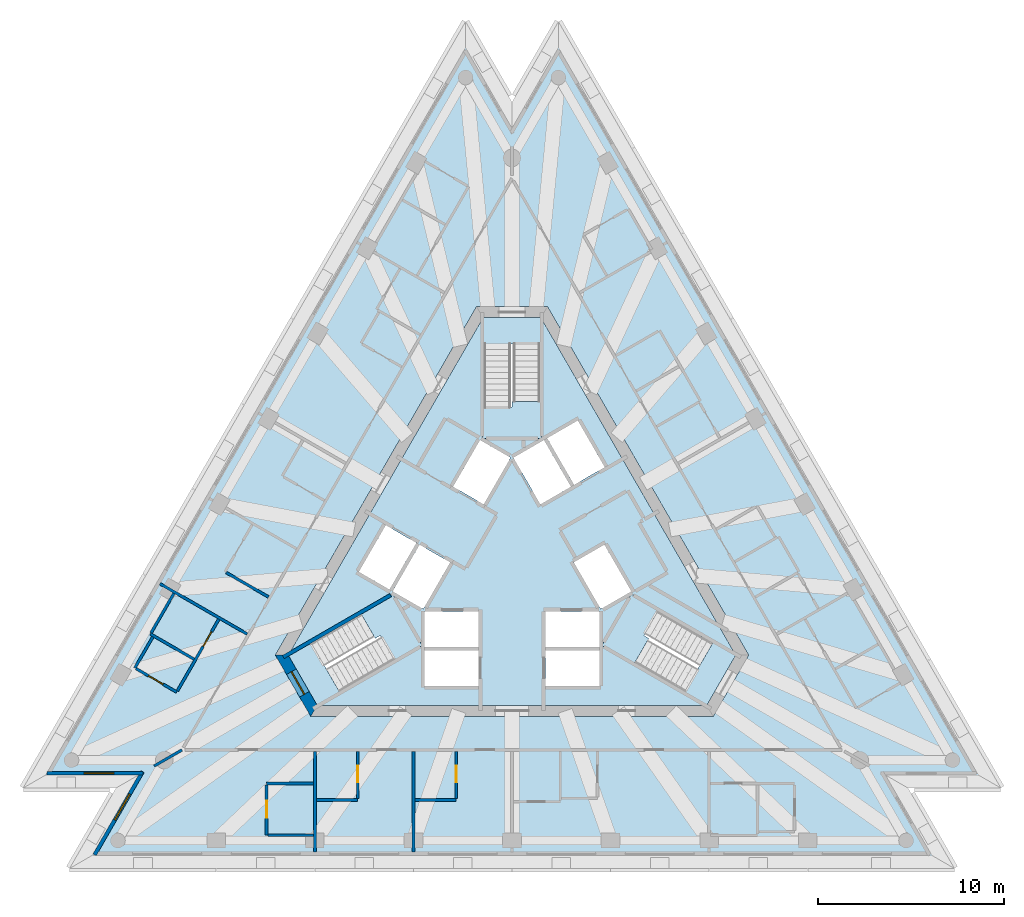
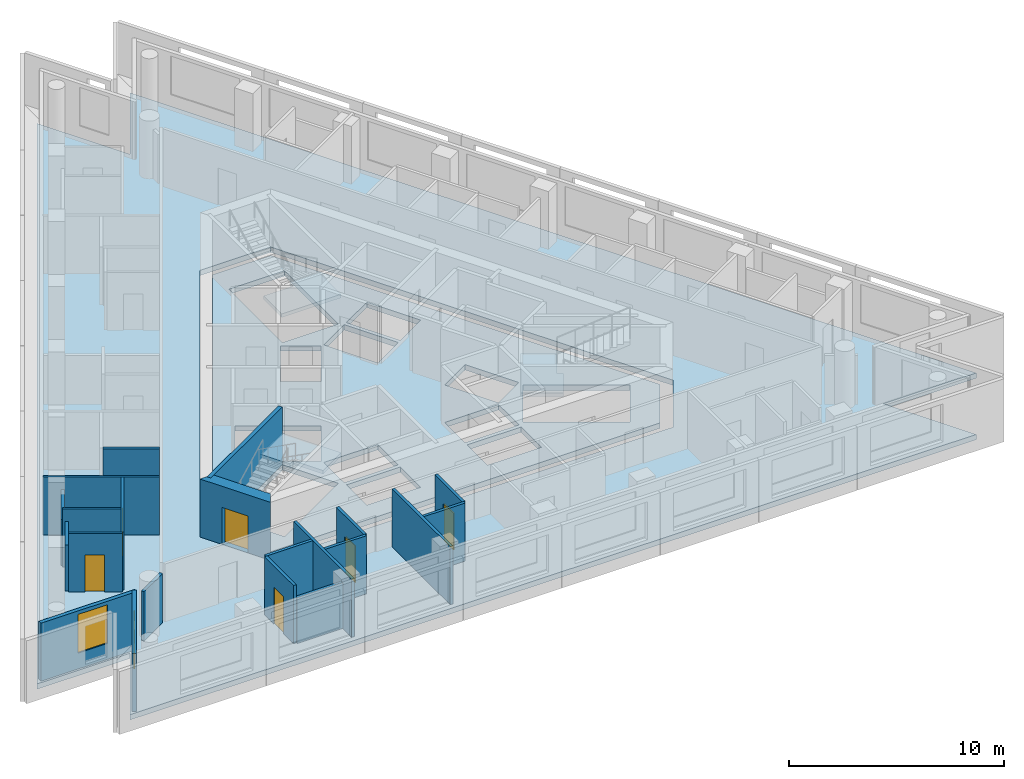
# One storey, part 2 of 11: 21 walls, 6 doors, 5 slabs, 2 windows, 8 openings, 3 elements without a shape of their own.
"""IFC4 building model written with IfcOpenShell, lengths in metres."""

from ifc_helpers import new_model, si_unit, direction, frame, frame_2d, origin, place, context, subcontext, project, spatial, polyline, rectangle, outline, extrude, material, layer, layer_set, layer_usage, type_object, element, fill, aggregate, save


model = new_model("IFC4")

# Units and contexts
model_context = context("Model", 3, precision=1e-05, world=origin(), true_north=direction((0.0, 1.0)))
body_context = subcontext(model_context, "Body", "Model", "MODEL_VIEW")
ifc_project = project(units=[si_unit("LENGTHUNIT", "METRE"), si_unit("AREAUNIT", "SQUARE_METRE"), si_unit("VOLUMEUNIT", "CUBIC_METRE"), si_unit("PLANEANGLEUNIT", "RADIAN"), si_unit("MASSUNIT", "GRAM", prefix="KILO")], contexts=[model_context])

# Site, building, storey
site_placement = place(None, origin())
site = spatial("IfcSite", under=ifc_project, at=site_placement, CompositionType="ELEMENT")
building_placement = place(site_placement, origin())
building = spatial("IfcBuilding", under=site, at=building_placement, Name="Triada Interchange Tower", CompositionType="ELEMENT")
storey_placement = place(building_placement, frame((0.0, 0.0, 307.89990234375)))
storey = spatial("IfcBuildingStorey", under=building, at=storey_placement, Name="L73", CompositionType="ELEMENT", Elevation=307.89990234375)

# Slabs
ifc_material_1 = material(Name="Concrete C50/60", Category="concrete")
ifc_layer_1 = layer(ifc_material_1, 0.300048828125)
ifc_layer_set_1 = layer_set([ifc_layer_1], Name="Floor slab 300")
slab_type_1 = type_object("IfcSlabType", Name="Floor slab 300", PredefinedType="FLOOR", material=ifc_layer_set_1)
slab_1_placement = place(storey_placement, frame((0.0, 0.0, -0.2998046875)))
element("IfcSlab", 1, at=slab_1_placement, inside=storey, type_object=slab_type_1, Name="Floor slab L73", PredefinedType="FLOOR", context=body_context, shape_type="SweptSolid", body=[
    extrude(outline(polyline([(-2.498046875, 27.72705078125), (-25.260986328125, -11.699951171875), (-20.263916015625, -11.699951171875), (-22.762939453125, -16.027099609375), (22.762939453125, -16.027099609375), (20.263916015625, -11.699951171875), (25.260986328125, -11.699951171875), (2.498046875, 27.72705078125), (0.0, 23.39892578125), (-2.498046875, 27.72705078125)]), holes=[polyline([(1.905029296875, 13.60009765625), (-1.905029296875, 13.60009765625), (-12.73095703125, -5.14990234375), (-10.824951171875, -8.449951171875), (10.824951171875, -8.449951171875), (12.73095703125, -5.14990234375), (1.905029296875, 13.60009765625)])]), origin(), (0.0, 0.0, 1.0), 0.2998046875),
])
slab_2_placement = place(storey_placement, frame((0.0, 0.0, -0.2998046875)))
element("IfcSlab", 2, at=slab_2_placement, inside=storey, type_object=slab_type_1, Name="Core floor slab L73 1", PredefinedType="FLOOR", context=body_context, shape_type="SweptSolid", body=[
    extrude(outline(polyline([(12.0380859375, -5.14990234375), (10.47900390625, -7.85009765625), (-10.47900390625, -7.85009765625), (-12.0380859375, -5.14990234375), (-1.55908203125, 13.0), (1.55908203125, 13.0), (12.0380859375, -5.14990234375)]), holes=[polyline([(9.2958984375, -7.09912109375), (10.7958984375, -4.5009765625), (6.466064453125, -2.0009765625), (4.966064453125, -4.59912109375), (9.2958984375, -7.09912109375)]), polyline([(4.969970703125, 0.791015625), (3.324951171875, -0.158935546875), (4.77490234375, -2.669921875), (6.419921875, -1.719970703125), (4.969970703125, 0.791015625)]), polyline([(1.89404296875, 6.52001953125), (3.343994140625, 4.009033203125), (4.989013671875, 4.958984375), (3.5390625, 7.469970703125), (1.89404296875, 6.52001953125)]), polyline([(1.800048828125, -4.89990234375), (1.800048828125, -6.4990234375), (1.800048828125, -6.800048828125), (4.699951171875, -6.800048828125), (4.699951171875, -4.89990234375), (1.800048828125, -4.89990234375)]), polyline([(4.699951171875, -2.800048828125), (1.800048828125, -2.800048828125), (1.800048828125, -4.699951171875), (4.699951171875, -4.699951171875), (4.699951171875, -2.800048828125)]), polyline([(1.52490234375, 2.958984375), (2.594970703125, 3.576904296875), (3.169921875, 3.908935546875), (1.719970703125, 6.419921875), (0.074951171875, 5.469970703125), (1.52490234375, 2.958984375)]), polyline([(-1.5, 11.60009765625), (-1.5, 6.60009765625), (1.5, 6.60009765625), (1.5, 11.60009765625), (-1.5, 11.60009765625)]), polyline([(-1.52490234375, 2.958984375), (-0.074951171875, 5.469970703125), (-1.719970703125, 6.419921875), (-3.169921875, 3.908935546875), (-1.52490234375, 2.958984375)]), polyline([(-1.800048828125, -2.800048828125), (-4.699951171875, -2.800048828125), (-4.699951171875, -4.699951171875), (-1.800048828125, -4.699951171875), (-1.800048828125, -2.800048828125)]), polyline([(-4.699951171875, -6.800048828125), (-1.800048828125, -6.800048828125), (-1.800048828125, -6.4990234375), (-1.800048828125, -4.89990234375), (-4.699951171875, -4.89990234375), (-4.699951171875, -6.800048828125)]), polyline([(-3.427978515625, -0.09912109375), (-4.969970703125, 0.791015625), (-6.419921875, -1.719970703125), (-4.77490234375, -2.669921875), (-3.324951171875, -0.158935546875), (-3.427978515625, -0.09912109375)]), polyline([(-10.7958984375, -4.5009765625), (-9.2958984375, -7.09912109375), (-4.966064453125, -4.59912109375), (-6.466064453125, -2.0009765625), (-10.7958984375, -4.5009765625)]), polyline([(-6.593994140625, -1.6201171875), (-5.14404296875, 0.89111328125), (-6.7890625, 1.841064453125), (-8.239013671875, -0.669921875), (-6.593994140625, -1.6201171875)])]), origin(), (0.0, 0.0, 1.0), 0.2998046875),
])

# Stair, slab
ifc_material_2 = material(Name="Concrete C35/45", Category="concrete")
stair_type = type_object("IfcStairType", Name="HALF TURN STAIR 1400", PredefinedType="HALF_TURN_STAIR", material=ifc_material_2)
stair_1_placement = place(storey_placement, origin())
stair_1 = element("IfcStair", 3, at=stair_1_placement, inside=storey, type_object=stair_type, Name="Exit stair S71-1", PredefinedType="HALF_TURN_STAIR")
ifc_layer_2 = layer(ifc_material_2, 0.199951171875)
ifc_layer_set_2 = layer_set([ifc_layer_2], Name="STAIR LANDING 200")
slab_type_2 = type_object("IfcSlabType", Name="STAIR LANDING 200", PredefinedType="LANDING", material=ifc_layer_set_2)
slab_3_placement = place(storey_placement, frame((0.0, 0.0, 1.521728515625)))
slab_3 = element("IfcSlab", 4, at=slab_3_placement, type_object=slab_type_2, Name="S71-1 landing 1", PredefinedType="LANDING", context=body_context, shape_type="SweptSolid", body=[
    extrude(outline(polyline([(1.60009765625, 6.5), (1.60009765625, 8.5), (0.0, 8.5), (0.0, 8.18994140625), (-1.60009765625, 8.18994140625), (-1.60009765625, 6.5), (1.60009765625, 6.5)])), origin(), (0.0, 0.0, 1.0), 0.199951171875),
])
aggregate(stair_1, [slab_3])

stair_2_placement = place(storey_placement, origin())
stair_2 = element("IfcStair", 5, at=stair_2_placement, inside=storey, type_object=stair_type, Name="Exit stair S71-2", PredefinedType="HALF_TURN_STAIR")
slab_4_placement = place(storey_placement, frame((0.0, 0.0, 1.521728515625)))
slab_4 = element("IfcSlab", 6, at=slab_4_placement, type_object=slab_type_2, Name="S71-2 landing 1", PredefinedType="LANDING", context=body_context, shape_type="SweptSolid", body=[
    extrude(outline(polyline([(-6.428955078125, -1.864013671875), (-8.160888671875, -2.864013671875), (-7.361083984375, -4.25), (-7.093017578125, -4.094970703125), (-6.29296875, -5.48095703125), (-4.8291015625, -4.635986328125), (-6.428955078125, -1.864013671875)])), origin(), (0.0, 0.0, 1.0), 0.199951171875),
])
aggregate(stair_2, [slab_4])

stair_3_placement = place(storey_placement, origin())
stair_3 = element("IfcStair", 7, at=stair_3_placement, inside=storey, type_object=stair_type, Name="Exit stair S71-3", PredefinedType="HALF_TURN_STAIR")
slab_5_placement = place(storey_placement, frame((0.0, 0.0, 1.521728515625)))
slab_5 = element("IfcSlab", 8, at=slab_5_placement, type_object=slab_type_2, Name="S71-3 landing 1", PredefinedType="LANDING", context=body_context, shape_type="SweptSolid", body=[
    extrude(outline(polyline([(4.8291015625, -4.635986328125), (6.56103515625, -5.635986328125), (7.361083984375, -4.25), (7.093017578125, -4.094970703125), (7.89306640625, -2.708984375), (6.428955078125, -1.864013671875), (4.8291015625, -4.635986328125)])), origin(), (0.0, 0.0, 1.0), 0.199951171875),
])
aggregate(stair_3, [slab_5])

# Wall
ifc_material_3 = material(Name="Concrete C30/37", Category="concrete")
ifc_layer_3 = layer(ifc_material_3, 0.199951171875)
ifc_layer_set_3 = layer_set([ifc_layer_3], Name="CORE WALL 200 REI 240")
wall_type_1 = type_object("IfcWallType", Name="CORE WALL 200 REI 240", PredefinedType="SOLIDWALL", material=ifc_layer_set_3)
wall_1_placement = place(storey_placement, frame((-12.301025390625, -5.25390625, 0.0), z_axis=(0.0, 0.0, 1.0), x_axis=(0.866068467981, 0.499925403204, 0.0)))
element("IfcWall", 9, at=wall_1_placement, inside=storey, type_object=wall_type_1, Name="Wall L71 115", PredefinedType="SOLIDWALL", context=body_context, shape_type="SweptSolid", body=[
    extrude(rectangle(XDim=6.66455078125, YDim=0.199951171875, at=frame_2d((3.332275390625, 0.0))), origin(), (0.0, 0.0, 1.0), 3.300048828125),
])

# Wall, opening, door
ifc_material_4 = material(Name="Concrete C40/50", Category="concrete")
ifc_layer_4 = layer(ifc_material_4, 0.60009765625)
ifc_layer_set_4 = layer_set([ifc_layer_4], Name="Core wall D 600")
wall_type_2 = type_object("IfcWallType", Name="Core wall D 600", PredefinedType="SHEAR", material=ifc_layer_set_4)
wall_2_placement = place(storey_placement, frame((-12.384033203125, -5.14990234375, -0.2998046875), z_axis=(0.0, 0.0, 1.0), x_axis=(0.49997462182, -0.866040055388, 0.0)))
wall_2 = element("IfcWall", 10, at=wall_2_placement, inside=storey, type_object=wall_type_2, Name="Core wall WD03 L73", PredefinedType="SHEAR", context=body_context, shape_type="SweptSolid", body=[
    extrude(outline(polyline([(-0.173095703125, -0.301025390625), (1.73193359375, -0.300537109375), (3.636962890625, -0.300048828125), (3.291015625, 0.300048828125), (1.73193359375, 0.300048828125), (0.173095703125, 0.300048828125), (-0.173095703125, -0.301025390625)])), origin(), (0.0, 0.0, 1.0), 3.599853515625),
])
opening_1_placement = place(wall_2_placement, frame((1.031982421875, 0.0, 0.300048828125)))
opening_1 = element("IfcOpeningElement", 11, at=opening_1_placement, cuts=wall_2, Name="Opening D71-51", PredefinedType="OPENING", context=body_context, shape_type="SweptSolid", body=[
    extrude(rectangle(XDim=1.39990234375, YDim=2.10009765625, at=frame_2d((0.699951171875, 1.050048828125))), frame((0.0, 0.31005859375, 0.0), z_axis=(0.0, -1.0, 0.0), x_axis=(1.0, 0.0, 0.0)), (0.0, 0.0, 1.0), 0.62109375),
])
ifc_material_5 = material(Name="Steel S235 door leaf", Category="steel")
door_type_1 = type_object("IfcDoorType", Name="STAIR DOOR 1400 EI2 90-C5S200", OperationType="DOUBLE_DOOR_SINGLE_SWING", PredefinedType="DOOR", material=ifc_material_5)
door_1_placement = place(opening_1_placement, origin())
door_1 = element("IfcDoor", 12, at=door_1_placement, inside=storey, type_object=door_type_1, Name="Door D71-51 L73", OperationType="DOUBLE_DOOR_SINGLE_SWING", OverallHeight=2.10009765625, OverallWidth=1.39990234375, PredefinedType="DOOR", context=body_context, shape_type="SweptSolid", body=[
    extrude(rectangle(XDim=1.39990234375, YDim=2.10009765625, at=frame_2d((0.699951171875, 1.050048828125))), frame((0.0, 0.02490234375, 0.0), z_axis=(0.0, -1.0, 0.0), x_axis=(1.0, 0.0, 0.0)), (0.0, 0.0, 1.0), 0.050048828125),
])
fill(opening_1, door_1)

# Wall, opening, window
ifc_material_6 = material(Name="Cement board")
ifc_layer_5 = layer(ifc_material_6, 0.02001953125, Name="Cement board cladding")
ifc_material_7 = material(Name="Sheathing board")
ifc_layer_6 = layer(ifc_material_7, 0.014892578125, Name="Sheathing board")
ifc_material_8 = material(Name="Mineral wool")
ifc_layer_7 = layer(ifc_material_8, 0.14990234375, Name="Mineral wool between steel studs")
ifc_material_9 = material(Name="Gypsum board")
ifc_layer_8 = layer(ifc_material_9, 0.014892578125, Name="Plasterboard lining")
ifc_layer_set_5 = layer_set([ifc_layer_5, ifc_layer_6, ifc_layer_7, ifc_layer_8], Name="External wall 200")
ifc_layer_usage = layer_usage(ifc_layer_set_5, "AXIS2", "POSITIVE", -0.10009765625)
wall_type_3 = type_object("IfcWallType", Name="External wall 200", PredefinedType="ELEMENTEDWALL", material=ifc_layer_set_5)
wall_3_placement = place(storey_placement, frame((-25.0048828125, -11.5, 0.0), z_axis=(0.0, 0.0, 1.0), x_axis=(1.0, 0.0, 0.0)))
wall_3 = element("IfcWall", 13, at=wall_3_placement, inside=storey, type_object=wall_type_3, material=ifc_layer_usage, Name="External wall L73 SW-1", PredefinedType="ELEMENTEDWALL", context=body_context, shape_type="SweptSolid", body=[
    extrude(rectangle(XDim=5.156982421875, YDim=0.199951171875, at=frame_2d((2.57861328125, 0.0))), origin(), (0.0, 0.0, 1.0), 3.300048828125),
])
opening_2_placement = place(wall_3_placement, frame((1.989990234375, 0.0, 0.89990234375)))
opening_2 = element("IfcOpeningElement", 14, at=opening_2_placement, cuts=wall_3, Name="Opening WD09", PredefinedType="OPENING", context=body_context, shape_type="SweptSolid", body=[
    extrude(rectangle(XDim=1.60009765625, YDim=2.199951171875, at=frame_2d((0.800048828125, 1.10009765625))), frame((0.0, 0.10986328125, 0.0), z_axis=(0.0, -1.0, 0.0), x_axis=(1.0, 0.0, 0.0)), (0.0, 0.0, 1.0), 0.219970703125),
])
ifc_material_10 = material(Name="Double glazed aluminium window", Category="aluminium")
window_type = type_object("IfcWindowType", Name="Ribbon window D pocket", PartitioningType="SINGLE_PANEL", PredefinedType="WINDOW", material=ifc_material_10)
window_1_placement = place(opening_2_placement, origin())
window_1 = element("IfcWindow", 15, at=window_1_placement, inside=storey, type_object=window_type, Name="Window L73 SW-1 1", OverallHeight=2.199951171875, OverallWidth=1.60009765625, PartitioningType="SINGLE_PANEL", PredefinedType="WINDOW", context=body_context, shape_type="SweptSolid", body=[
    extrude(rectangle(XDim=1.60009765625, YDim=2.199951171875, at=frame_2d((0.800048828125, 1.10009765625))), frame((0.0, 0.030029296875, 0.0), z_axis=(0.0, -1.0, 0.0), x_axis=(1.0, 0.0, 0.0)), (0.0, 0.0, 1.0), 0.06005859375),
])
fill(opening_2, window_1)

wall_4_placement = place(storey_placement, frame((-19.873046875, -11.422119140625, 0.0), z_axis=(0.0, 0.0, 1.0), x_axis=(-0.500074877135, -0.865982169134, 0.0)))
wall_4 = element("IfcWall", 16, at=wall_4_placement, inside=storey, type_object=wall_type_3, material=ifc_layer_usage, Name="External wall L73 SW-2", PredefinedType="ELEMENTEDWALL", context=body_context, shape_type="SweptSolid", body=[
    extrude(rectangle(XDim=5.156982421875, YDim=0.199951171875, at=frame_2d((2.57861328125, 0.0))), origin(), (0.0, 0.0, 1.0), 3.300048828125),
])
opening_3_placement = place(wall_4_placement, frame((1.389892578125, 0.0, 0.89990234375)))
opening_3 = element("IfcOpeningElement", 17, at=opening_3_placement, cuts=wall_4, Name="Opening WD10", PredefinedType="OPENING", context=body_context, shape_type="SweptSolid", body=[
    extrude(rectangle(XDim=1.60009765625, YDim=2.199951171875, at=frame_2d((0.800048828125, 1.10009765625))), frame((0.0, 0.10986328125, 0.0), z_axis=(0.0, -1.0, 0.0), x_axis=(1.0, 0.0, 0.0)), (0.0, 0.0, 1.0), 0.219970703125),
])
window_2_placement = place(opening_3_placement, origin())
window_2 = element("IfcWindow", 18, at=window_2_placement, inside=storey, type_object=window_type, Name="Window L73 SW-2 1", OverallHeight=2.199951171875, OverallWidth=1.60009765625, PartitioningType="SINGLE_PANEL", PredefinedType="WINDOW", context=body_context, shape_type="SweptSolid", body=[
    extrude(rectangle(XDim=1.60009765625, YDim=2.199951171875, at=frame_2d((0.800048828125, 1.10009765625))), frame((0.0, 0.030029296875, 0.0), z_axis=(0.0, -1.0, 0.0), x_axis=(1.0, 0.0, 0.0)), (0.0, 0.0, 1.0), 0.06005859375),
])
fill(opening_3, window_2)

# Walls
ifc_material_11 = material(Name="Gypsum board partition")
ifc_layer_9 = layer(ifc_material_11, 0.14990234375)
ifc_layer_set_6 = layer_set([ifc_layer_9], Name="PARTITION 150 EI 180")
wall_type_4 = type_object("IfcWallType", Name="PARTITION 150 EI 180", PredefinedType="PARTITIONING", material=ifc_layer_set_6)
wall_5_placement = place(storey_placement, frame((-19.241943359375, -11.110107421875, 0.0), z_axis=(0.0, 0.0, 1.0), x_axis=(0.86591836888, 0.500185344083, 0.0)))
element("IfcWall", 19, at=wall_5_placement, inside=storey, type_object=wall_type_4, Name="Wall L71 1", PredefinedType="PARTITIONING", context=body_context, shape_type="SweptSolid", body=[
    extrude(rectangle(XDim=1.719482421875, YDim=0.14990234375, at=frame_2d((0.85986328125, 0.0))), origin(), (0.0, 0.0, 1.0), 2.800048828125),
])
wall_6_placement = place(storey_placement, frame((-18.93798828125, -1.30810546875, 0.0), z_axis=(0.0, 0.0, 1.0), x_axis=(0.866006352826, -0.500032995777, 0.0)))
element("IfcWall", 20, at=wall_6_placement, inside=storey, type_object=wall_type_4, Name="Wall L71 3", PredefinedType="PARTITIONING", context=body_context, shape_type="SweptSolid", body=[
    extrude(rectangle(XDim=5.421630859375, YDim=0.14990234375, at=frame_2d((2.7109375, 0.0))), origin(), (0.0, 0.0, 1.0), 3.300048828125),
])
for number, where, z_axis, x_axis, name in (
    (21, (-10.60205078125, -15.7470703125, 0.0), (0.0, 0.0, 1.0), (0.0, 1.0, 0.0), "Wall L71 9"),
    (22, (-5.301025390625, -15.7470703125, 0.0), (0.0, 0.0, 1.0), (0.0, 1.0, 0.0), "Wall L71 11"),
):
    element("IfcWall", number, at=place(storey_placement, frame(where, z_axis=z_axis, x_axis=x_axis)), inside=storey, type_object=wall_type_4, Name=name, PredefinedType="PARTITIONING", context=body_context, shape_type="SweptSolid", body=[
        extrude(rectangle(XDim=5.422119140625, YDim=0.14990234375, at=frame_2d((2.7109375, 0.0))), origin(), (0.0, 0.0, 1.0), 3.300048828125),
    ])
ifc_layer_10 = layer(ifc_material_11, 0.14990234375)
ifc_layer_set_7 = layer_set([ifc_layer_10], Name="PARTITION 150 EI 90")
wall_type_5 = type_object("IfcWallType", Name="PARTITION 150 EI 90", PredefinedType="PARTITIONING", material=ifc_layer_set_7)
wall_7_placement = place(storey_placement, frame((-19.450927734375, -4.013916015625, 0.0), z_axis=(0.0, 0.0, 1.0), x_axis=(0.86594733563, -0.500135193638, 0.0)))
element("IfcWall", 23, at=wall_7_placement, inside=storey, type_object=wall_type_5, Name="Wall L71 27", PredefinedType="PARTITIONING", context=body_context, shape_type="SweptSolid", body=[
    extrude(rectangle(XDim=2.713623046875, YDim=0.14990234375, at=frame_2d((1.35693359375, 0.0))), origin(), (0.0, 0.0, 1.0), 3.300048828125),
])
wall_8_placement = place(storey_placement, frame((-20.2880859375, -5.840087890625, 0.0), z_axis=(0.0, 0.0, 1.0), x_axis=(0.499890818081, 0.866088430819, 0.0)))
element("IfcWall", 24, at=wall_8_placement, inside=storey, type_object=wall_type_5, Name="Wall L71 28", PredefinedType="PARTITIONING", context=body_context, shape_type="SweptSolid", body=[
    extrude(rectangle(XDim=1.9248046875, YDim=0.14990234375, at=frame_2d((0.96240234375, 0.0))), origin(), (0.0, 0.0, 1.0), 2.60009765625),
])

# Wall, opening, door
wall_9_placement = place(storey_placement, frame((-20.222900390625, -5.8779296875, 0.0), z_axis=(0.0, 0.0, 1.0), x_axis=(0.866146950478, -0.499789415832, 0.0)))
wall_9 = element("IfcWall", 25, at=wall_9_placement, inside=storey, type_object=wall_type_5, Name="Wall L71 29", PredefinedType="PARTITIONING", context=body_context, shape_type="SweptSolid", body=[
    extrude(rectangle(XDim=2.52490234375, YDim=0.14990234375, at=frame_2d((1.262451171875, 0.0))), origin(), (0.0, 0.0, 1.0), 3.300048828125),
])
opening_4_placement = place(wall_9_placement, frame((0.77490234375, 0.0, 0.0)))
opening_4 = element("IfcOpeningElement", 26, at=opening_4_placement, cuts=wall_9, Name="Opening D71-48", PredefinedType="OPENING", context=body_context, shape_type="SweptSolid", body=[
    extrude(rectangle(XDim=0.89990234375, YDim=2.10009765625, at=frame_2d((0.449951171875, 1.050048828125))), frame((0.0, 0.0849609375, 0.0), z_axis=(0.0, -1.0, 0.0), x_axis=(1.0, 0.0, 0.0)), (0.0, 0.0, 1.0), 0.169921875),
])
door_type_2 = type_object("IfcDoorType", Name="SERVICE DOOR 900 EI2 45-C5S200", OperationType="NOTDEFINED", PredefinedType="DOOR", material=ifc_material_5)
door_2_placement = place(opening_4_placement, origin())
door_2 = element("IfcDoor", 27, at=door_2_placement, inside=storey, type_object=door_type_2, Name="Door D71-48 L73", OperationType="SINGLE_SWING_LEFT", OverallHeight=2.10009765625, OverallWidth=0.89990234375, PredefinedType="DOOR", context=body_context, shape_type="SweptSolid", body=[
    extrude(rectangle(XDim=0.89990234375, YDim=2.10009765625, at=frame_2d((0.449951171875, 1.050048828125))), frame((0.0, 0.02490234375, 0.0), z_axis=(0.0, -1.0, 0.0), x_axis=(1.0, 0.0, 0.0)), (0.0, 0.0, 1.0), 0.050048828125),
])
fill(opening_4, door_2)

wall_10_placement = place(storey_placement, frame((-17.9990234375, -7.074951171875, 0.0), z_axis=(0.0, 0.0, 1.0), x_axis=(0.49999788721, 0.866026623601, 0.0)))
wall_10 = element("IfcWall", 28, at=wall_10_placement, inside=storey, type_object=wall_type_5, Name="Wall L71 30", PredefinedType="PARTITIONING", context=body_context, shape_type="SweptSolid", body=[
    extrude(rectangle(XDim=4.4501953125, YDim=0.14990234375, at=frame_2d((2.22509765625, 0.0))), origin(), (0.0, 0.0, 1.0), 3.300048828125),
])
opening_5_placement = place(wall_10_placement, frame((2.77490234375, 0.0, 0.0)))
opening_5 = element("IfcOpeningElement", 29, at=opening_5_placement, cuts=wall_10, Name="Opening D71-47", PredefinedType="OPENING", context=body_context, shape_type="SweptSolid", body=[
    extrude(rectangle(XDim=0.89990234375, YDim=2.10009765625, at=frame_2d((0.449951171875, 1.050048828125))), frame((0.0, 0.0849609375, 0.0), z_axis=(0.0, -1.0, 0.0), x_axis=(1.0, 0.0, 0.0)), (0.0, 0.0, 1.0), 0.169921875),
])
door_type_3 = type_object("IfcDoorType", Name="ROOM DOOR 900 EI2 45-C5S200", OperationType="NOTDEFINED", PredefinedType="DOOR", material=ifc_material_5)
door_3_placement = place(opening_5_placement, origin())
door_3 = element("IfcDoor", 30, at=door_3_placement, inside=storey, type_object=door_type_3, Name="Door D71-47 L73", OperationType="SINGLE_SWING_RIGHT", OverallHeight=2.10009765625, OverallWidth=0.89990234375, PredefinedType="DOOR", context=body_context, shape_type="SweptSolid", body=[
    extrude(rectangle(XDim=0.89990234375, YDim=2.10009765625, at=frame_2d((0.449951171875, 1.050048828125))), frame((0.0, 0.02490234375, 0.0), z_axis=(0.0, -1.0, 0.0), x_axis=(1.0, 0.0, 0.0)), (0.0, 0.0, 1.0), 0.050048828125),
])
fill(opening_5, door_3)

# Walls
wall_11_placement = place(storey_placement, frame((-19.4140625, -3.948974609375, 0.0), z_axis=(0.0, 0.0, 1.0), x_axis=(0.499975448907, 0.8660395779, 0.0)))
element("IfcWall", 31, at=wall_11_placement, inside=storey, type_object=wall_type_5, Name="Wall L71 32", PredefinedType="PARTITIONING", context=body_context, shape_type="SweptSolid", body=[
    extrude(rectangle(XDim=2.4501953125, YDim=0.14990234375, at=frame_2d((1.22509765625, 0.0))), origin(), (0.0, 0.0, 1.0), 2.60009765625),
])
wall_12_placement = place(storey_placement, frame((-15.376953125, -0.70703125, 0.0), z_axis=(0.0, 0.0, 1.0), x_axis=(0.86608234587, -0.499901360443, 0.0)))
element("IfcWall", 32, at=wall_12_placement, inside=storey, type_object=wall_type_5, Name="Wall L71 36", PredefinedType="PARTITIONING", context=body_context, shape_type="SweptSolid", body=[
    extrude(rectangle(XDim=2.63818359375, YDim=0.14990234375, at=frame_2d((1.319091796875, 0.0))), origin(), (0.0, 0.0, 1.0), 3.300048828125),
])
for number, where, z_axis, x_axis, name in (
    (33, (-10.527099609375, -12.949951171875, 0.0), (0.0, 0.0, 1.0), (1.0, 0.0, 0.0), "Wall L71 39"),
    (34, (-5.22607421875, -12.949951171875, 0.0), (0.0, 0.0, 1.0), (1.0, 0.0, 0.0), "Wall L71 40"),
):
    element("IfcWall", number, at=place(storey_placement, frame(where, z_axis=z_axis, x_axis=x_axis)), inside=storey, type_object=wall_type_5, Name=name, PredefinedType="PARTITIONING", context=body_context, shape_type="SweptSolid", body=[
        extrude(rectangle(XDim=2.22509765625, YDim=0.14990234375, at=frame_2d((1.112548828125, 0.0))), origin(), (0.0, 0.0, 1.0), 3.300048828125),
    ])

# Wall, opening, door
wall_13_placement = place(storey_placement, frame((-8.302001953125, -12.875, 0.0), z_axis=(0.0, 0.0, 1.0), x_axis=(0.0, 1.0, 0.0)))
wall_13 = element("IfcWall", 35, at=wall_13_placement, inside=storey, type_object=wall_type_5, Name="Wall L71 41", PredefinedType="PARTITIONING", context=body_context, shape_type="SweptSolid", body=[
    extrude(rectangle(XDim=2.550048828125, YDim=0.14990234375, at=frame_2d((1.27490234375, 0.0))), origin(), (0.0, 0.0, 1.0), 3.300048828125),
])
opening_6_placement = place(wall_13_placement, frame((0.875, 0.0, 0.0)))
opening_6 = element("IfcOpeningElement", 36, at=opening_6_placement, cuts=wall_13, Name="Opening D71-14", PredefinedType="OPENING", context=body_context, shape_type="SweptSolid", body=[
    extrude(rectangle(XDim=0.89990234375, YDim=2.10009765625, at=frame_2d((0.449951171875, 1.050048828125))), frame((0.0, 0.0849609375, 0.0), z_axis=(0.0, -1.0, 0.0), x_axis=(1.0, 0.0, 0.0)), (0.0, 0.0, 1.0), 0.169921875),
])
door_4_placement = place(opening_6_placement, origin())
door_4 = element("IfcDoor", 37, at=door_4_placement, inside=storey, type_object=door_type_3, Name="Door D71-14 L73", OperationType="SINGLE_SWING_RIGHT", OverallHeight=2.10009765625, OverallWidth=0.89990234375, PredefinedType="DOOR", context=body_context, shape_type="SweptSolid", body=[
    extrude(rectangle(XDim=0.89990234375, YDim=2.10009765625, at=frame_2d((0.449951171875, 1.050048828125))), frame((0.0, 0.02490234375, 0.0), z_axis=(0.0, -1.0, 0.0), x_axis=(1.0, 0.0, 0.0)), (0.0, 0.0, 1.0), 0.050048828125),
])
fill(opening_6, door_4)

# Wall
wall_14_placement = place(storey_placement, frame((-13.201904296875, -12.050048828125, 0.0), z_axis=(0.0, 0.0, 1.0), x_axis=(1.0, 0.0, 0.0)))
element("IfcWall", 38, at=wall_14_placement, inside=storey, type_object=wall_type_5, Name="Wall L71 42", PredefinedType="PARTITIONING", context=body_context, shape_type="SweptSolid", body=[
    extrude(rectangle(XDim=2.52490234375, YDim=0.14990234375, at=frame_2d((1.262451171875, 0.0))), origin(), (0.0, 0.0, 1.0), 3.300048828125),
])

# Wall, opening, door
wall_15_placement = place(storey_placement, frame((-13.201904296875, -14.837890625, 0.0), z_axis=(0.0, 0.0, 1.0), x_axis=(0.0, 1.0, 0.0)))
wall_15 = element("IfcWall", 39, at=wall_15_placement, inside=storey, type_object=wall_type_5, Name="Wall L71 44", PredefinedType="PARTITIONING", context=body_context, shape_type="SweptSolid", body=[
    extrude(rectangle(XDim=2.712890625, YDim=0.14990234375, at=frame_2d((1.3564453125, 0.0))), origin(), (0.0, 0.0, 1.0), 3.300048828125),
])
opening_7_placement = place(wall_15_placement, frame((0.948974609375, 0.0, 0.0)))
opening_7 = element("IfcOpeningElement", 40, at=opening_7_placement, cuts=wall_15, Name="Opening D71-12", PredefinedType="OPENING", context=body_context, shape_type="SweptSolid", body=[
    extrude(rectangle(XDim=0.89990234375, YDim=2.10009765625, at=frame_2d((0.449951171875, 1.050048828125))), frame((0.0, 0.0849609375, 0.0), z_axis=(0.0, -1.0, 0.0), x_axis=(1.0, 0.0, 0.0)), (0.0, 0.0, 1.0), 0.169921875),
])
door_5_placement = place(opening_7_placement, origin())
door_5 = element("IfcDoor", 41, at=door_5_placement, inside=storey, type_object=door_type_3, Name="Door D71-12 L73", OperationType="SINGLE_SWING_RIGHT", OverallHeight=2.10009765625, OverallWidth=0.89990234375, PredefinedType="DOOR", context=body_context, shape_type="SweptSolid", body=[
    extrude(rectangle(XDim=0.89990234375, YDim=2.10009765625, at=frame_2d((0.449951171875, 1.050048828125))), frame((0.0, 0.02490234375, 0.0), z_axis=(0.0, -1.0, 0.0), x_axis=(1.0, 0.0, 0.0)), (0.0, 0.0, 1.0), 0.050048828125),
])
fill(opening_7, door_5)

# Wall
wall_16_placement = place(storey_placement, frame((-13.126953125, -14.837890625, 0.0), z_axis=(0.0, 0.0, 1.0), x_axis=(1.0, 0.0, 0.0)))
element("IfcWall", 42, at=wall_16_placement, inside=storey, type_object=wall_type_5, Name="Wall L71 45", PredefinedType="PARTITIONING", context=body_context, shape_type="SweptSolid", body=[
    extrude(rectangle(XDim=2.449951171875, YDim=0.14990234375, at=frame_2d((1.22509765625, 0.0))), origin(), (0.0, 0.0, 1.0), 2.60009765625),
])

# Wall, opening, door
wall_17_placement = place(storey_placement, frame((-3.0009765625, -12.875, 0.0), z_axis=(0.0, 0.0, 1.0), x_axis=(0.0, 1.0, 0.0)))
wall_17 = element("IfcWall", 43, at=wall_17_placement, inside=storey, type_object=wall_type_5, Name="Wall L71 52", PredefinedType="PARTITIONING", context=body_context, shape_type="SweptSolid", body=[
    extrude(rectangle(XDim=2.550048828125, YDim=0.14990234375, at=frame_2d((1.27490234375, 0.0))), origin(), (0.0, 0.0, 1.0), 3.300048828125),
])
opening_8_placement = place(wall_17_placement, frame((0.875, 0.0, 0.0)))
opening_8 = element("IfcOpeningElement", 44, at=opening_8_placement, cuts=wall_17, Name="Opening D71-16", PredefinedType="OPENING", context=body_context, shape_type="SweptSolid", body=[
    extrude(rectangle(XDim=0.89990234375, YDim=2.10009765625, at=frame_2d((0.449951171875, 1.050048828125))), frame((0.0, 0.0849609375, 0.0), z_axis=(0.0, -1.0, 0.0), x_axis=(1.0, 0.0, 0.0)), (0.0, 0.0, 1.0), 0.169921875),
])
door_6_placement = place(opening_8_placement, origin())
door_6 = element("IfcDoor", 45, at=door_6_placement, inside=storey, type_object=door_type_3, Name="Door D71-16 L73", OperationType="SINGLE_SWING_RIGHT", OverallHeight=2.10009765625, OverallWidth=0.89990234375, PredefinedType="DOOR", context=body_context, shape_type="SweptSolid", body=[
    extrude(rectangle(XDim=0.89990234375, YDim=2.10009765625, at=frame_2d((0.449951171875, 1.050048828125))), frame((0.0, 0.02490234375, 0.0), z_axis=(0.0, -1.0, 0.0), x_axis=(1.0, 0.0, 0.0)), (0.0, 0.0, 1.0), 0.050048828125),
])
fill(opening_8, door_6)

save(model, "model.ifc")
